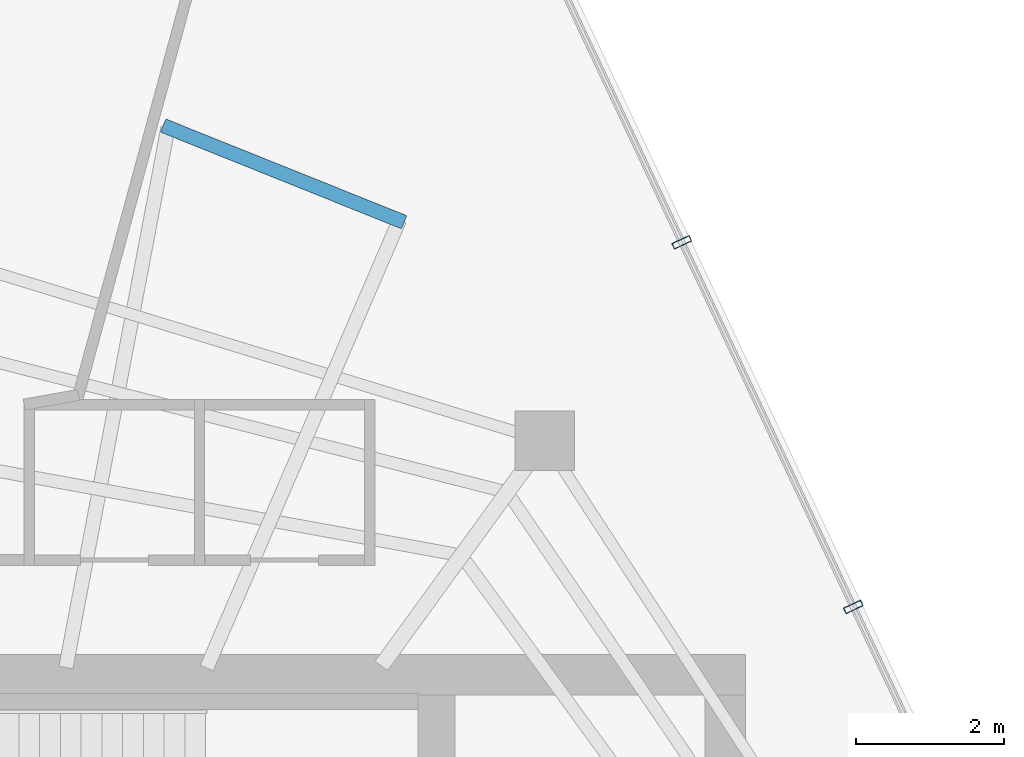
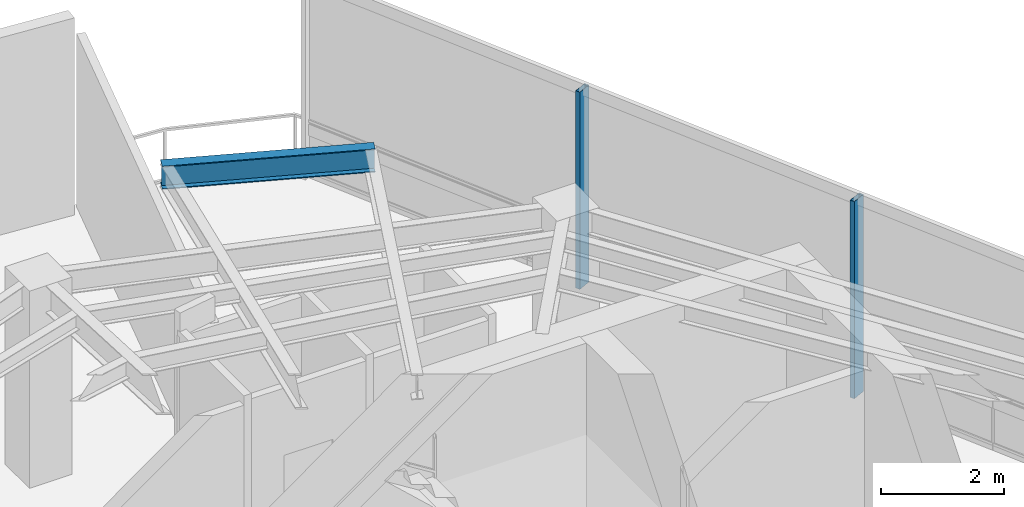
# One storey, part 10 of 19: 2 members, 1 beam, 1 element without a shape of its own.
"""IFC4 building model written with IfcOpenShell, lengths in metres."""

from ifc_helpers import new_model, si_unit, direction, frame, origin, origin_2d, place, context, subcontext, project, spatial, hollow_rectangle, i_section, extrude, material, layer, layer_set, material_profile, profile_set, type_object, element, aggregate, save


model = new_model("IFC4")

# Units and contexts
model_context = context("Model", 3, precision=1e-05, world=origin(), true_north=direction((0.0, 1.0)))
body_context = subcontext(model_context, "Body", "Model", "MODEL_VIEW")
ifc_project = project(units=[si_unit("LENGTHUNIT", "METRE"), si_unit("AREAUNIT", "SQUARE_METRE"), si_unit("VOLUMEUNIT", "CUBIC_METRE"), si_unit("PLANEANGLEUNIT", "RADIAN"), si_unit("MASSUNIT", "GRAM", prefix="KILO")], contexts=[model_context])

# Site, building, storey
site_placement = place(None, origin())
site = spatial("IfcSite", under=ifc_project, at=site_placement, CompositionType="ELEMENT")
building_placement = place(site_placement, origin())
building = spatial("IfcBuilding", under=site, at=building_placement, Name="Qarnah Convention Tower", CompositionType="ELEMENT")
storey_placement = place(building_placement, frame((0.0, 0.0, 275.10009765625)))
storey = spatial("IfcBuildingStorey", under=building, at=storey_placement, Name="L74", CompositionType="ELEMENT", Elevation=275.10009765625)

# Beam
ifc_material_1 = material(Name="Structural steel S355JR", Category="steel")
ifc_material_profile_1 = material_profile(ifc_material_1, i_section(OverallWidth=0.19189453125, OverallDepth=0.464111328125, WebThickness=0.010986328125, FlangeThickness=0.01806640625, at=origin_2d()), Name="W460X89")
ifc_profile_set_1 = profile_set([ifc_material_profile_1], Name="Structural steel S355JR")
beam_type = type_object("IfcBeamType", Name="BM-CANT-W460A", PredefinedType="BEAM", material=ifc_profile_set_1)
beam_placement = place(storey_placement, frame((40.009033203125, 41.6201171875, 3.68798828125), z_axis=(0.928063247738, -0.372422620417, 0.0), x_axis=(0.372422620417, 0.928063247738, 0.0)))
element("IfcBeam", 1, at=beam_placement, inside=storey, type_object=beam_type, Name="L74 spandrel BM-L74-CTIE-01", PredefinedType="SPANDREL", context=body_context, shape_type="SweptSolid", body=[
    extrude(i_section(OverallWidth=0.19189453125, OverallDepth=0.464111328125, WebThickness=0.010986328125, FlangeThickness=0.01806640625, at=origin_2d()), origin(), (0.0, 0.0, 1.0), 3.507080078125),
])

# Curtain wall, members
ifc_material_2 = material(Name="Tempered Low-E dark glass", Category="glass")
ifc_layer = layer(ifc_material_2, 0.177978515625)
ifc_layer_set = layer_set([ifc_layer], Name="Tempered Low-E dark glass")
curtain_wall_type = type_object("IfcCurtainWallType", Name="CWS-06", PredefinedType="NOTDEFINED", material=ifc_layer_set)
curtain_wall_placement = place(storey_placement, origin())
curtain_wall = element("IfcCurtainWall", 2, at=curtain_wall_placement, inside=storey, type_object=curtain_wall_type, Name="L74 unitised curtain wall CW-L74-F1", PredefinedType="NOTDEFINED")
ifc_material_3 = material(Name="Black anodised aluminium", Category="aluminium")
ifc_material_profile_2 = material_profile(ifc_material_3, hollow_rectangle(XDim=0.0849609375, YDim=0.260009765625, WallThickness=0.006103515625, at=origin_2d()), Name="MUL-85X260")
ifc_profile_set_2 = profile_set([ifc_material_profile_2], Name="Black anodised aluminium")
member_type = type_object("IfcMemberType", Name="MUL-T6", PredefinedType="MULLION", material=ifc_profile_set_2)
member_1_placement = place(storey_placement, frame((47.014892578125, 40.043212890625, 0.0), z_axis=(0.0, 0.0, 1.0), x_axis=(0.425793504503, -0.904820364229, 0.0)))
member_1 = element("IfcMember", 3, at=member_1_placement, type_object=member_type, Name="CW-L74-F1 mullion 2", PredefinedType="MULLION", context=body_context, shape_type="SweptSolid", body=[
    extrude(hollow_rectangle(XDim=0.0849609375, YDim=0.260009765625, WallThickness=0.006103515625, at=origin_2d()), origin(), (0.0, 0.0, 1.0), 3.919921875),
])
member_2_placement = place(storey_placement, frame((49.3330078125, 35.117431640625, 0.0), z_axis=(0.0, 0.0, 1.0), x_axis=(0.425793504503, -0.904820364229, 0.0)))
member_2 = element("IfcMember", 4, at=member_2_placement, type_object=member_type, Name="CW-L74-F1 mullion 3", PredefinedType="MULLION", context=body_context, shape_type="SweptSolid", body=[
    extrude(hollow_rectangle(XDim=0.0849609375, YDim=0.260009765625, WallThickness=0.006103515625, at=origin_2d()), origin(), (0.0, 0.0, 1.0), 3.919921875),
])
aggregate(curtain_wall, [member_1, member_2])

save(model, "model.ifc")
